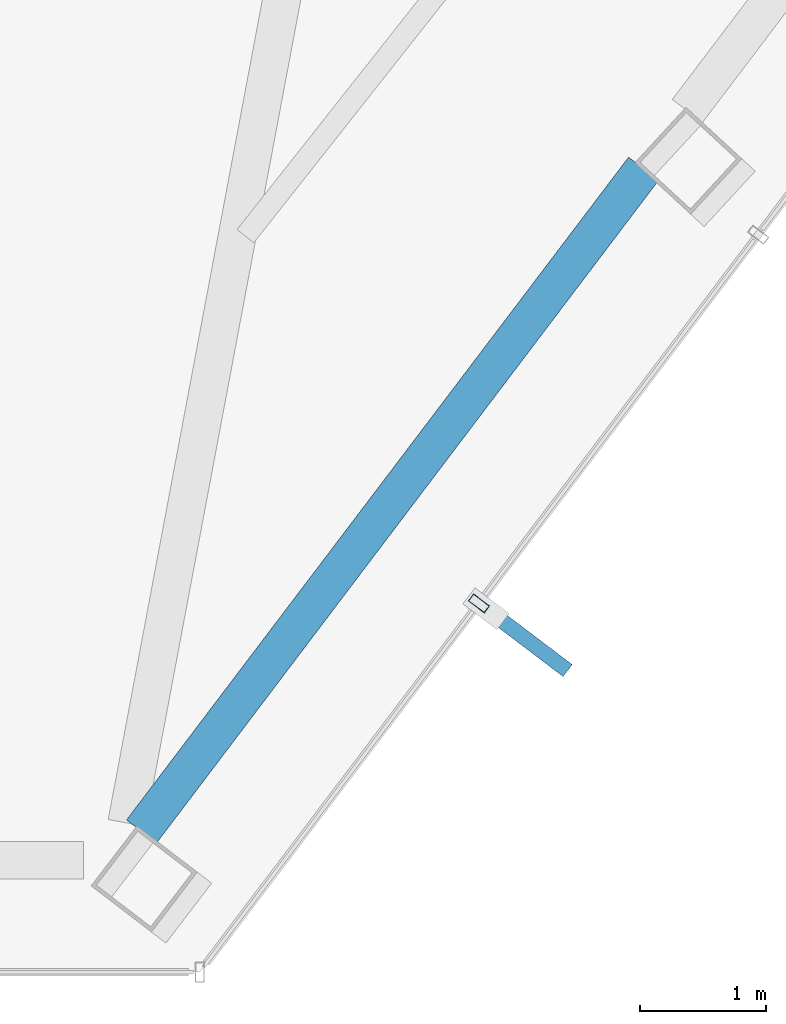
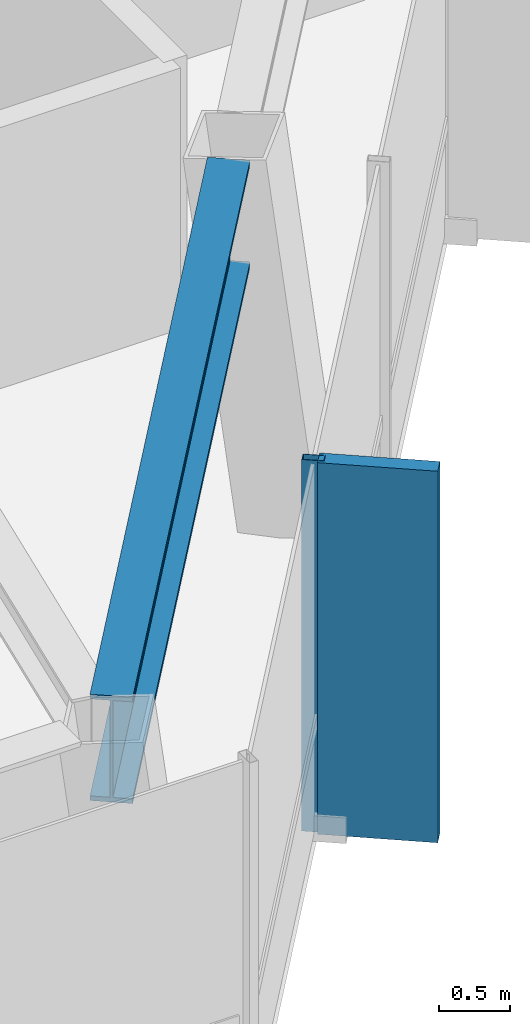
# One storey, part 6 of 25: 2 members, 1 beam, 1 element without a shape of its own.
"""IFC4 building model written with IfcOpenShell, lengths in metres."""

from ifc_helpers import new_model, si_unit, direction, frame, origin, origin_2d, place, context, subcontext, project, spatial, rectangle, hollow_rectangle, i_section, extrude, material, layer, layer_set, material_profile, profile_set, type_object, element, aggregate, save


model = new_model("IFC4")

# Units and contexts
model_context = context("Model", 3, precision=1e-05, world=origin(), true_north=direction((0.0, 1.0)))
body_context = subcontext(model_context, "Body", "Model", "MODEL_VIEW")
ifc_project = project(units=[si_unit("LENGTHUNIT", "METRE"), si_unit("AREAUNIT", "SQUARE_METRE"), si_unit("VOLUMEUNIT", "CUBIC_METRE"), si_unit("PLANEANGLEUNIT", "RADIAN"), si_unit("MASSUNIT", "GRAM", prefix="KILO")], contexts=[model_context])

# Site, building, storey
site_placement = place(None, origin())
site = spatial("IfcSite", under=ifc_project, at=site_placement, CompositionType="ELEMENT")
building_placement = place(site_placement, origin())
building = spatial("IfcBuilding", under=site, at=building_placement, Name="Zarrinselat Tower", CompositionType="ELEMENT")
storey_placement = place(building_placement, frame((0.0, 0.0, 246.159912109375)))
storey = spatial("IfcBuildingStorey", under=building, at=storey_placement, Name="L62", CompositionType="ELEMENT", Elevation=246.159912109375)

# Beam
ifc_material_1 = material(Name="Steel S460M", Category="steel")
ifc_material_profile_1 = material_profile(ifc_material_1, i_section(OverallWidth=0.302001953125, OverallDepth=0.909912109375, WebThickness=0.02099609375, FlangeThickness=0.0400390625, at=origin_2d()), Name="HEM 900")
ifc_profile_set_1 = profile_set([ifc_material_profile_1], Name="Steel S460M")
beam_type = type_object("IfcBeamType", Name="BM-HEM900", PredefinedType="BEAM", material=ifc_profile_set_1)
beam_placement = place(storey_placement, frame((43.39599609375, 19.68212890625, 2.72509765625), z_axis=(0.603859819163, 0.797090533629, 0.0), x_axis=(-0.797090533629, 0.603859819163, 0.0)))
element("IfcBeam", 1, at=beam_placement, inside=storey, type_object=beam_type, Name="L62 Perimeter Spandrel Girder SP11", PredefinedType="BEAM", context=body_context, shape_type="SweptSolid", body=[
    extrude(i_section(OverallWidth=0.302001953125, OverallDepth=0.909912109375, WebThickness=0.02099609375, FlangeThickness=0.0400390625, at=origin_2d()), origin(), (0.0, 0.0, 1.0), 6.61669921875),
])

# Curtain wall, members
ifc_material_2 = material(Name="Extruded Aluminium Alloy EN AW-6063 T6", Category="aluminium")
ifc_layer = layer(ifc_material_2, 0.169921875)
ifc_layer_set = layer_set([ifc_layer], Name="Extruded Aluminium Alloy EN AW-6063 T6")
curtain_wall_type = type_object("IfcCurtainWallType", Name="CWS-RES", PredefinedType="NOTDEFINED", material=ifc_layer_set)
curtain_wall_placement = place(storey_placement, origin())
curtain_wall = element("IfcCurtainWall", 2, at=curtain_wall_placement, inside=storey, type_object=curtain_wall_type, Name="L62 Unitised Curtain Wall CW-L62-E05", PredefinedType="NOTDEFINED")
ifc_material_3 = material(Name="Extruded Aluminium Alloy EN AW-6063 T6", Category="aluminium")
ifc_material_profile_2 = material_profile(ifc_material_3, hollow_rectangle(XDim=0.070068359375, YDim=0.159912109375, WallThickness=0.00390625, at=origin_2d()), Name="RHS 160x70x4")
ifc_profile_set_2 = profile_set([ifc_material_profile_2], Name="Extruded Aluminium Alloy EN AW-6063 T6")
member_type_1 = type_object("IfcMemberType", Name="MEM-CW-MUL2", PredefinedType="MULLION", material=ifc_profile_set_2)
member_1_placement = place(storey_placement, frame((46.08056640625, 21.49609375, 0.0), z_axis=(0.0, 0.0, 1.0), x_axis=(0.603858472709, 0.797091553674, 0.0)))
member_1 = element("IfcMember", 3, at=member_1_placement, type_object=member_type_1, Name="CW-L62-E05 Mullion 1", PredefinedType="MULLION", context=body_context, shape_type="SweptSolid", body=[
    extrude(hollow_rectangle(XDim=0.070068359375, YDim=0.159912109375, WallThickness=0.00390625, at=origin_2d()), origin(), (0.0, 0.0, 1.0), 3.18017578125),
])
ifc_material_4 = material(Name="Honed Cream Travertine Stone", Category="masonry")
ifc_material_profile_3 = material_profile(ifc_material_4, rectangle(XDim=0.1201171875, YDim=0.85009765625, at=origin_2d()), Name="FIN 850x120")
ifc_profile_set_3 = profile_set([ifc_material_profile_3], Name="Honed Cream Travertine Stone")
member_type_2 = type_object("IfcMemberType", Name="MEM-STONE-FIN", PredefinedType="USERDEFINED", material=ifc_profile_set_3)
member_2_placement = place(storey_placement, frame((46.447265625, 21.218505859375, 0.0), z_axis=(0.0, 0.0, 1.0), x_axis=(-0.603858472709, -0.797091553674, 0.0)))
member_2 = element("IfcMember", 4, at=member_2_placement, type_object=member_type_2, Name="L62 Stone Shading Fin CW-L62-E05-01", ObjectType="FIN", PredefinedType="USERDEFINED", context=body_context, shape_type="SweptSolid", body=[
    extrude(rectangle(XDim=0.1201171875, YDim=0.85009765625, at=origin_2d()), origin(), (0.0, 0.0, 1.0), 3.18017578125),
])
aggregate(curtain_wall, [member_1, member_2])

save(model, "model.ifc")
